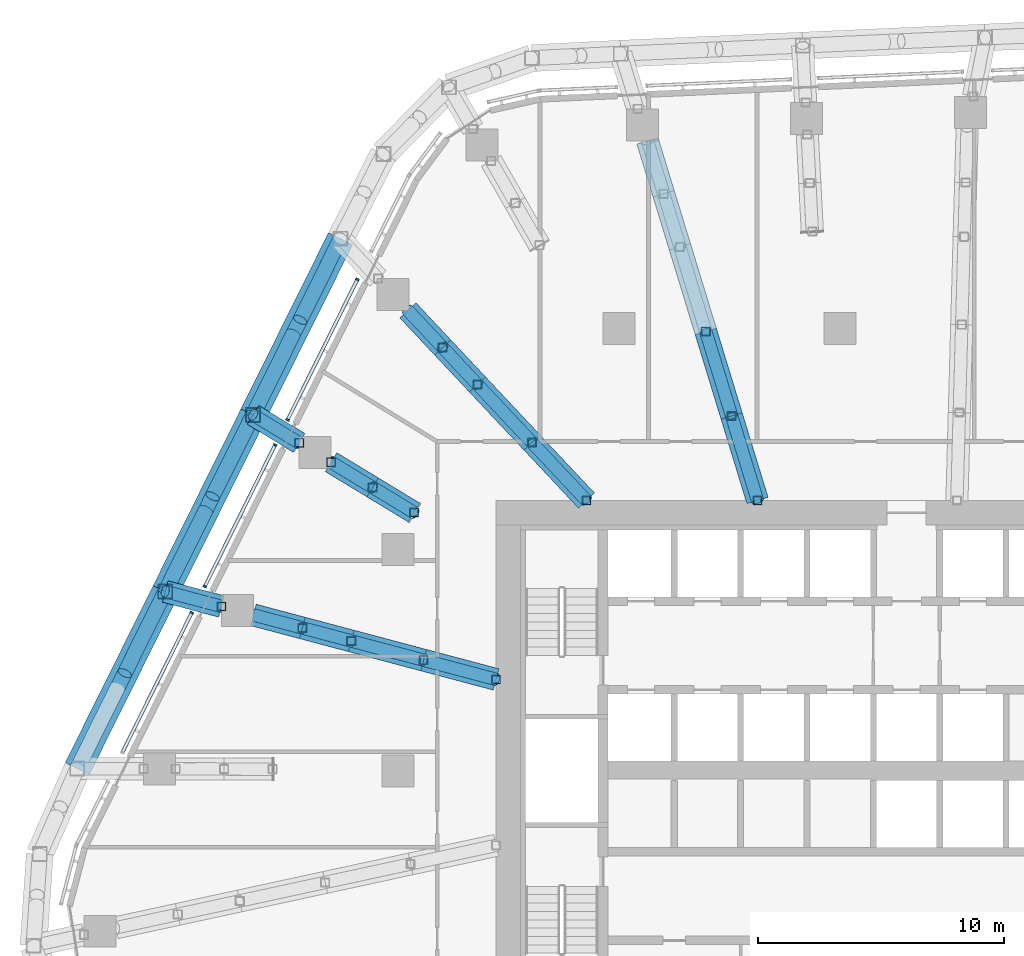
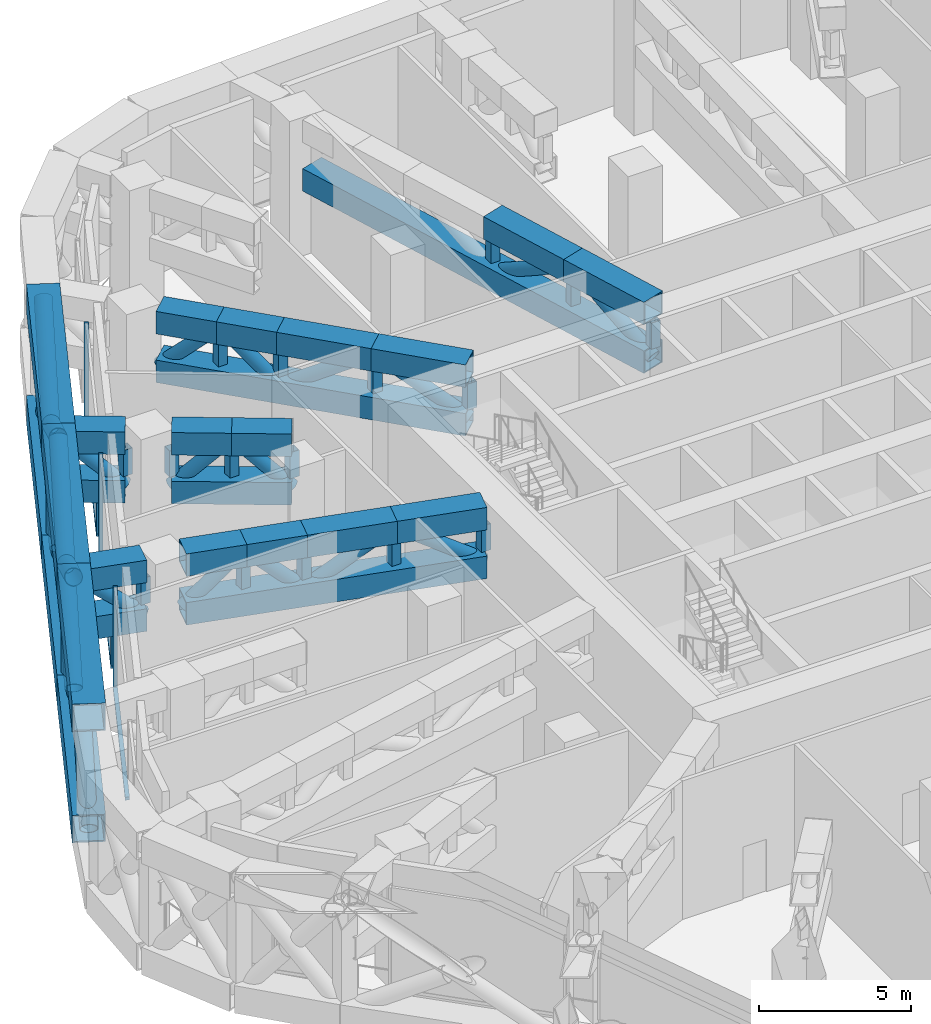
# One storey, part 9 of 30: 74 members, 1 element without a shape of its own.
"""IFC4 building model written with IfcOpenShell, lengths in metres."""

import ifcopenshell
import ifcopenshell.guid

model = None  # the IFC model being written
_history = None  # IfcOwnerHistory: only IFC2X3 demands one
_inside = {}  # id of a spatial element -> (the spatial element, [elements in it])
_under = {}  # id of a project, library or spatial element -> (it, [spatial elements below it])
_declared = {}  # id of a project -> (the project, [libraries it declares])
_typed = {}  # id of a type object -> (the type object, [elements of that type])
_made_of = {}  # id of a material, layer set ... -> (it, [elements and type objects made of it])


def new_model(schema):
    """Start an empty IFC model of exactly this schema.

    Asked for "IFC4X3", IfcOpenShell would pick the latest addendum, in which some entities
    have other attributes; the version numbers below select the first issue.
    IFC2X3 requires an IfcOwnerHistory on every rooted entity: one is made here for all.
    """
    global model, _history
    if schema == "IFC4X3":
        model = ifcopenshell.file(schema_version=(4, 3, 0, 0))
    else:
        model = ifcopenshell.file(schema=schema)
    _inside.clear()
    _under.clear()
    _declared.clear()
    _typed.clear()
    _made_of.clear()
    _history = None
    if model.schema == "IFC2X3":
        org = make("IfcOrganization", Name="unknown")
        user = make(
            "IfcPersonAndOrganization",
            ThePerson=make("IfcPerson", FamilyName="unknown"),
            TheOrganization=org,
        )
        app = make(
            "IfcApplication",
            ApplicationDeveloper=org,
            Version="unknown",
            ApplicationFullName="unknown",
            ApplicationIdentifier="unknown",
        )
        _history = make(
            "IfcOwnerHistory",
            OwningUser=user,
            OwningApplication=app,
            ChangeAction="ADDED",
            CreationDate=0,
        )
    return model


def make(cls, **values):
    """One entity of the class cls with the attributes given. An attribute that is None is left unset."""
    return model.create_entity(
        cls, **{name: value for name, value in values.items() if value is not None}
    )


def rooted(cls, **values):
    """An entity with a GlobalId (a new one), such as an element, a storey or a relation."""
    return make(cls, GlobalId=ifcopenshell.guid.new(), OwnerHistory=_history, **values)


def si_unit(unit_type, name, prefix=None):
    """IfcSIUnit, for example si_unit("LENGTHUNIT", "METRE", prefix="MILLI")."""
    return make("IfcSIUnit", UnitType=unit_type, Prefix=prefix, Name=name)


def assignment(units):
    """IfcUnitAssignment: the units of a project."""
    return None if units is None else make("IfcUnitAssignment", Units=units)


def point(xyz):
    """IfcCartesianPoint."""
    return None if xyz is None else make("IfcCartesianPoint", Coordinates=xyz)


def direction(xyz):
    """IfcDirection."""
    return None if xyz is None else make("IfcDirection", DirectionRatios=xyz)


def frame(location, z_axis=None, x_axis=None):
    """IfcAxis2Placement3D, a coordinate frame: its origin and axes. An axis left out is left unset."""
    return make(
        "IfcAxis2Placement3D",
        Location=point(location),
        Axis=direction(z_axis),
        RefDirection=direction(x_axis),
    )


def frame_2d(location, x_axis=None):
    """IfcAxis2Placement2D, a coordinate frame in the plane: its origin and x axis."""
    return make(
        "IfcAxis2Placement2D", Location=point(location), RefDirection=direction(x_axis)
    )


def origin():
    """The frame at (0, 0, 0) with its axes left unset."""
    return frame((0.0, 0.0, 0.0))


def origin_2d():
    """The frame at (0, 0) in the plane with its x axis left unset."""
    return frame_2d((0.0, 0.0))


def place(relative_to, where):
    """IfcLocalPlacement: puts the frame where relative to a parent placement (None: the world)."""
    return make(
        "IfcLocalPlacement", PlacementRelTo=relative_to, RelativePlacement=where
    )


def context(
    kind, dimensions, precision=None, world=None, true_north=None, identifier=None
):
    """IfcGeometricRepresentationContext, for example the 3D "Model" context."""
    return make(
        "IfcGeometricRepresentationContext",
        ContextIdentifier=identifier,
        ContextType=kind,
        CoordinateSpaceDimension=dimensions,
        Precision=precision,
        WorldCoordinateSystem=world,
        TrueNorth=true_north,
    )


def subcontext(parent, identifier, kind, view, scale=None):
    """IfcGeometricRepresentationSubContext, for example "Body" below "Model"."""
    return make(
        "IfcGeometricRepresentationSubContext",
        ContextIdentifier=identifier,
        ContextType=kind,
        ParentContext=parent,
        TargetScale=scale,
        TargetView=view,
    )


def project(units=None, contexts=None):
    """IfcProject with its units and contexts."""
    return rooted(
        "IfcProject",
        Name="project",
        RepresentationContexts=contexts,
        UnitsInContext=assignment(units),
    )


def spatial(cls, under=None, at=None, **own):
    """A site, building, storey or space (cls), placed at a placement, below another one or the project."""
    s = rooted(cls, ObjectPlacement=at, **own)
    if under is not None:
        _under.setdefault(under.id(), (under, []))[1].append(s)
    return s


def profile(cls, at=None, kind="AREA", **sizes):
    """A parametric profile (cls). Its sizes go by their IFC names, for example OverallWidth=200.0."""
    return make(cls, ProfileType=kind, Position=at, **sizes)


def rectangle(**sizes):
    """IfcRectangleProfileDef."""
    return profile("IfcRectangleProfileDef", **sizes)


def hollow_rectangle(**sizes):
    """IfcRectangleHollowProfileDef."""
    return profile("IfcRectangleHollowProfileDef", **sizes)


def hollow_circle(**sizes):
    """IfcCircleHollowProfileDef."""
    return profile("IfcCircleHollowProfileDef", **sizes)


def extrude(swept, where, along, depth):
    """IfcExtrudedAreaSolid: the profile swept, set in the frame where, extruded along a direction by depth."""
    return make(
        "IfcExtrudedAreaSolid",
        SweptArea=swept,
        Position=where,
        ExtrudedDirection=direction(along),
        Depth=depth,
    )


def shape(context_of_items, identifier, shape_type, items):
    """IfcShapeRepresentation: the items that make up one representation, for example the "Body"."""
    return make(
        "IfcShapeRepresentation",
        ContextOfItems=context_of_items,
        RepresentationIdentifier=identifier,
        RepresentationType=shape_type,
        Items=items,
    )


def material(Name=None, Category=None):
    """IfcMaterial."""
    return make("IfcMaterial", Name=Name, Category=Category)


def layer(
    of_material, thickness, ventilated=None, Name=None, Category=None, Priority=None
):
    """IfcMaterialLayer: one layer of a wall or slab, of a material (None: an air gap)."""
    return make(
        "IfcMaterialLayer",
        Material=of_material,
        LayerThickness=thickness,
        IsVentilated=ventilated,
        Name=Name,
        Category=Category,
        Priority=Priority,
    )


def layer_set(layers, Name=None):
    """IfcMaterialLayerSet."""
    return make("IfcMaterialLayerSet", MaterialLayers=layers, LayerSetName=Name)


def material_profile(
    of_material, cross_section, Name=None, Category=None, Priority=None
):
    """IfcMaterialProfile: a cross section and its material."""
    return make(
        "IfcMaterialProfile",
        Name=Name,
        Material=of_material,
        Profile=cross_section,
        Priority=Priority,
        Category=Category,
    )


def profile_set(profiles, Name=None, composite=None):
    """IfcMaterialProfileSet."""
    return make(
        "IfcMaterialProfileSet",
        Name=Name,
        MaterialProfiles=profiles,
        CompositeProfile=composite,
    )


def made_of(thing, what):
    """Note that an element or type object is made of a material, layer set ...; save() writes the relation."""
    if what is not None:
        _made_of.setdefault(what.id(), (what, []))[1].append(thing)
    return thing


def type_object(cls, material=None, **own):
    """A type object (cls), such as IfcWallType, which elements share."""
    return made_of(rooted(cls, **own), material)


def element(
    cls,
    number,
    at=None,
    inside=None,
    cuts=None,
    type_object=None,
    material=None,
    context=None,
    identifier="Body",
    shape_type=None,
    held_by="IfcProductDefinitionShape",
    body=None,
    shapes=None,
    **own,
):
    """One element of the class cls, such as IfcWall. Its Tag is "e" and its number.

    at: its placement. inside: the storey or other place that contains it. cuts: it is an
    opening in that element (IfcRelVoidsElement). A single representation is given by context,
    identifier, shape_type and body (its items); several are given by shapes. held_by: the class
    of the entity that holds the representations. save() writes the other relations.
    """
    e = rooted(cls, Tag="e%d" % number, ObjectPlacement=at, **own)
    if body is not None:
        shapes = [shape(context, identifier, shape_type, body)]
    if shapes is not None:
        e.Representation = make(held_by, Representations=shapes)
    if inside is not None:
        _inside.setdefault(inside.id(), (inside, []))[1].append(e)
    if cuts is not None:
        rooted(
            "IfcRelVoidsElement", RelatingBuildingElement=cuts, RelatedOpeningElement=e
        )
    if type_object is not None:
        _typed.setdefault(type_object.id(), (type_object, []))[1].append(e)
    return made_of(e, material)


def aggregate(whole, parts):
    """IfcRelAggregates: a whole, such as a stair, and the parts it consists of."""
    return rooted("IfcRelAggregates", RelatingObject=whole, RelatedObjects=parts)


def save(model, path):
    """Write the relations noted so far, then the file.

    IfcRelAggregates (storeys below a building ...), IfcRelContainedInSpatialStructure (elements
    in a storey), IfcRelDefinesByType, IfcRelAssociatesMaterial and IfcRelDeclares: one each for
    every whole, place, type object, material and project.
    """
    for whole, parts in _under.values():
        aggregate(whole, parts)
    for where, things in _inside.values():
        rooted(
            "IfcRelContainedInSpatialStructure",
            RelatedElements=things,
            RelatingStructure=where,
        )
    for kind, things in _typed.values():
        rooted("IfcRelDefinesByType", RelatedObjects=things, RelatingType=kind)
    for what, things in _made_of.values():
        rooted("IfcRelAssociatesMaterial", RelatedObjects=things, RelatingMaterial=what)
    for by, libraries in _declared.values():
        rooted("IfcRelDeclares", RelatingContext=by, RelatedDefinitions=libraries)
    model.write(path)


model = new_model("IFC4")

# Units and contexts
model_context = context("Model", 3, precision=1e-05, world=origin(), true_north=direction((0.0, 1.0)))
body_context = subcontext(model_context, "Body", "Model", "MODEL_VIEW")
ifc_project = project(units=[si_unit("LENGTHUNIT", "METRE"), si_unit("AREAUNIT", "SQUARE_METRE"), si_unit("VOLUMEUNIT", "CUBIC_METRE"), si_unit("PLANEANGLEUNIT", "RADIAN"), si_unit("MASSUNIT", "GRAM", prefix="KILO")], contexts=[model_context])

# Site, building, storey
site_placement = place(None, origin())
site = spatial("IfcSite", under=ifc_project, at=site_placement, CompositionType="ELEMENT")
building_placement = place(site_placement, origin())
building = spatial("IfcBuilding", under=site, at=building_placement, Name="Dongbaek Canopy Tower", CompositionType="ELEMENT")
storey_placement = place(building_placement, frame((0.0, 0.0, 145.60009765625)))
storey = spatial("IfcBuildingStorey", under=building, at=storey_placement, Name="L32", CompositionType="ELEMENT", Elevation=145.60009765625)

# Members
ifc_material_1 = material(Name="Steel S355", Category="steel")
ifc_material_profile_1 = material_profile(ifc_material_1, hollow_circle(Radius=0.304931640625, WallThickness=0.01611328125, at=origin_2d()), Name="BELT BRACE CHS 610.0x16.0 Steel S355")
ifc_profile_set_1 = profile_set([ifc_material_profile_1], Name="Steel S355")
member_type_1 = type_object("IfcMemberType", Name="BELT BRACE CHS 610.0x16.0 Steel S355", PredefinedType="BRACE", material=ifc_profile_set_1)
member_1_placement = place(storey_placement, frame((-31.043212890625, 0.093017578125, 0.5498046875), z_axis=(0.389322540572, 0.78366397209, 0.484044149072), x_axis=(-0.895571366543, 0.444917888411, 0.0)))
element("IfcMember", 1, at=member_1_placement, inside=storey, type_object=member_type_1, Name="BELT:L32:9:D0:0", PredefinedType="BRACE", context=body_context, shape_type="SweptSolid", body=[
    extrude(hollow_circle(Radius=0.304931640625, WallThickness=0.01611328125, at=origin_2d()), origin(), (0.0, 0.0, 1.0), 9.19384765625),
])
member_2_placement = place(storey_placement, frame((-27.4638671875, 7.2978515625, 0.5498046875), z_axis=(-0.389303624486, -0.783678107313, 0.484036478047), x_axis=(0.895583177373, -0.444894113701, 0.0)))
element("IfcMember", 2, at=member_2_placement, inside=storey, type_object=member_type_1, Name="BELT:L32:9:D0:1", PredefinedType="BRACE", context=body_context, shape_type="SweptSolid", body=[
    extrude(hollow_circle(Radius=0.304931640625, WallThickness=0.01611328125, at=origin_2d()), origin(), (0.0, 0.0, 1.0), 4.23681640625),
])
member_3_placement = place(storey_placement, frame((-27.4638671875, 7.2978515625, 0.5498046875), z_axis=(0.389108628718, 0.783218790474, 0.484935873395), x_axis=(-0.895568061781, 0.444924540476, 0.0)))
element("IfcMember", 3, at=member_3_placement, inside=storey, type_object=member_type_1, Name="BELT:L32:10:D0:0", PredefinedType="BRACE", context=body_context, shape_type="SweptSolid", body=[
    extrude(hollow_circle(Radius=0.304931640625, WallThickness=0.01611328125, at=origin_2d()), origin(), (0.0, 0.0, 1.0), 9.1767578125),
])
member_4_placement = place(storey_placement, frame((-23.89306640625, 14.4853515625, 0.5498046875), z_axis=(-0.389100951547, -0.783224422794, 0.484932936646), x_axis=(0.895572834473, -0.444914933615, 0.0)))
element("IfcMember", 4, at=member_4_placement, inside=storey, type_object=member_type_1, Name="BELT:L32:10:D0:1", PredefinedType="BRACE", context=body_context, shape_type="SweptSolid", body=[
    extrude(hollow_circle(Radius=0.304931640625, WallThickness=0.01611328125, at=origin_2d()), origin(), (0.0, 0.0, 1.0), 4.22900390625),
])
member_5_placement = place(storey_placement, frame((-27.4638671875, 7.2978515625, 5.0), z_axis=(0.389118545537, 0.783202105158, -0.484954863875), x_axis=(-0.89555976646, 0.444941237354, 0.0)))
element("IfcMember", 5, at=member_5_placement, inside=storey, type_object=member_type_1, Name="BELT:L32:10:D0:2", PredefinedType="BRACE", context=body_context, shape_type="SweptSolid", body=[
    extrude(hollow_circle(Radius=0.304931640625, WallThickness=0.01611328125, at=origin_2d()), origin(), (0.0, 0.0, 1.0), 4.228759765625),
])
member_6_placement = place(storey_placement, frame((-23.89306640625, 14.4853515625, 0.5498046875), z_axis=(0.38890630876, 0.782796204153, 0.485779770854), x_axis=(-0.895564586304, 0.444931536034, 0.0)))
element("IfcMember", 6, at=member_6_placement, inside=storey, type_object=member_type_1, Name="BELT:L32:11:D0:0", PredefinedType="BRACE", context=body_context, shape_type="SweptSolid", body=[
    extrude(hollow_circle(Radius=0.304931640625, WallThickness=0.01611328125, at=origin_2d()), origin(), (0.0, 0.0, 1.0), 9.160888671875),
])
for number, where, z_axis, x_axis, name in (
    (7, (-20.330322265625, 21.656494140625, 0.5498046875), (-0.38889043564, -0.78281261844, 0.485766027505), (0.895575539519, -0.444909488565, 0.0), "BELT:L32:11:D0:1"),
    (8, (-23.89306640625, 14.4853515625, 5.0), (0.38889043564, 0.78281261844, -0.485766027505), (-0.895575539519, 0.444909488565, 0.0), "BELT:L32:11:D0:2"),
):
    element("IfcMember", number, at=place(storey_placement, frame(where, z_axis=z_axis, x_axis=x_axis)), inside=storey, type_object=member_type_1, Name=name, PredefinedType="BRACE", context=body_context, shape_type="SweptSolid", body=[
        extrude(hollow_circle(Radius=0.304931640625, WallThickness=0.01611328125, at=origin_2d()), origin(), (0.0, 0.0, 1.0), 4.22119140625),
    ])
ifc_material_2 = material(Name="Steel S355", Category="steel")
ifc_material_profile_2 = material_profile(ifc_material_2, hollow_rectangle(XDim=1.10009765625, YDim=1.10009765625, WallThickness=0.054931640625, at=origin_2d()), Name="BELT CHORD BOX 1100x1100x55 Steel S355")
ifc_profile_set_2 = profile_set([ifc_material_profile_2], Name="Steel S355")
member_type_2 = type_object("IfcMemberType", Name="BELT CHORD BOX 1100x1100x55 Steel S355", PredefinedType="CHORD", material=ifc_profile_set_2)
for number, where, z_axis, x_axis, name in (
    (9, (-31.043212890625, 0.093017578125, 0.5498046875), (0.444917888411, 0.895571366543, 0.0), (-0.895571366543, 0.444917888411, 0.0), "BELT:L32:9:CB0"),
    (10, (-31.043212890625, 0.093017578125, 5.0), (0.444917888411, 0.895571366543, 0.0), (-0.895571366543, 0.444917888411, 0.0), "BELT:L32:9:CT0"),
):
    element("IfcMember", number, at=place(storey_placement, frame(where, z_axis=z_axis, x_axis=x_axis)), inside=storey, type_object=member_type_2, Name=name, PredefinedType="CHORD", context=body_context, shape_type="SweptSolid", body=[
        extrude(hollow_rectangle(XDim=1.10009765625, YDim=1.10009765625, WallThickness=0.054931640625, at=origin_2d()), origin(), (0.0, 0.0, 1.0), 8.044921875),
    ])
for number, where, z_axis, x_axis, name in (
    (11, (-27.4638671875, 7.2978515625, 0.5498046875), (0.444924540476, 0.895568061781, 0.0), (-0.895568061781, 0.444924540476, 0.0), "BELT:L32:10:CB0"),
    (12, (-27.4638671875, 7.2978515625, 5.0), (0.444924540476, 0.895568061781, 0.0), (-0.895568061781, 0.444924540476, 0.0), "BELT:L32:10:CT0"),
):
    element("IfcMember", number, at=place(storey_placement, frame(where, z_axis=z_axis, x_axis=x_axis)), inside=storey, type_object=member_type_2, Name=name, PredefinedType="CHORD", context=body_context, shape_type="SweptSolid", body=[
        extrude(hollow_rectangle(XDim=1.10009765625, YDim=1.10009765625, WallThickness=0.054931640625, at=origin_2d()), origin(), (0.0, 0.0, 1.0), 8.025634765625),
    ])
for number, where, z_axis, x_axis, name in (
    (13, (-23.89306640625, 14.4853515625, 0.5498046875), (0.444931536034, 0.895564586304, 0.0), (-0.895564586304, 0.444931536034, 0.0), "BELT:L32:11:CB0"),
    (14, (-23.89306640625, 14.4853515625, 5.0), (0.444931536034, 0.895564586304, 0.0), (-0.895564586304, 0.444931536034, 0.0), "BELT:L32:11:CT0"),
):
    element("IfcMember", number, at=place(storey_placement, frame(where, z_axis=z_axis, x_axis=x_axis)), inside=storey, type_object=member_type_2, Name=name, PredefinedType="CHORD", context=body_context, shape_type="SweptSolid", body=[
        extrude(hollow_rectangle(XDim=1.10009765625, YDim=1.10009765625, WallThickness=0.054931640625, at=origin_2d()), origin(), (0.0, 0.0, 1.0), 8.00732421875),
    ])
ifc_material_3 = material(Name="Steel S355", Category="steel")
ifc_material_profile_3 = material_profile(ifc_material_3, hollow_rectangle(XDim=0.60009765625, YDim=0.60009765625, WallThickness=0.031982421875, at=origin_2d()), Name="BELT POST BOX 600x600x32 Steel S355")
ifc_profile_set_3 = profile_set([ifc_material_profile_3], Name="Steel S355")
member_type_3 = type_object("IfcMemberType", Name="BELT POST BOX 600x600x32 Steel S355", PredefinedType="POST", material=ifc_profile_set_3)
for number, where, z_axis, x_axis, name in (
    (15, (-27.4638671875, 7.2978515625, 1.099853515625), (0.0, 0.0, 1.0), (1.0, 0.0, 0.0), "BELT:L32:10:P0"),
    (16, (-23.89306640625, 14.4853515625, 1.099853515625), (0.0, 0.0, 1.0), (1.0, 0.0, 0.0), "BELT:L32:11:P0"),
):
    element("IfcMember", number, at=place(storey_placement, frame(where, z_axis=z_axis, x_axis=x_axis)), inside=storey, type_object=member_type_3, Name=name, PredefinedType="POST", context=body_context, shape_type="SweptSolid", body=[
        extrude(hollow_rectangle(XDim=0.60009765625, YDim=0.60009765625, WallThickness=0.031982421875, at=origin_2d()), origin(), (0.0, 0.0, 1.0), 3.35009765625),
    ])
ifc_material_4 = material(Name="Steel S355", Category="steel")
ifc_material_profile_4 = material_profile(ifc_material_4, hollow_circle(Radius=0.25390625, WallThickness=0.01611328125, at=origin_2d()), Name="BRACE CHS 508.0x16.0 Steel S355")
ifc_profile_set_4 = profile_set([ifc_material_profile_4], Name="Steel S355")
member_type_4 = type_object("IfcMemberType", Name="BRACE CHS 508.0x16.0 Steel S355", PredefinedType="BRACE", material=ifc_profile_set_4)
for number, where, z_axis, x_axis, name in (
    (17, (-17.336181640625, 10.51025390625, 3.14990234375), (-0.608528880105, 0.368917334946, 0.702561457849), (-0.518416770019, -0.855128091319, 0.0), "TRUSS:L32:11:D0"),
    (18, (-19.025146484375, 11.5341796875, 5.099853515625), (-0.608548626156, 0.368841339906, -0.702584255147), (-0.518326372876, -0.855182887564, 0.0), "TRUSS:L32:11:D1"),
):
    element("IfcMember", number, at=place(storey_placement, frame(where, z_axis=z_axis, x_axis=x_axis)), inside=storey, type_object=member_type_4, Name=name, PredefinedType="BRACE", context=body_context, shape_type="SweptSolid", body=[
        extrude(hollow_circle(Radius=0.25390625, WallThickness=0.01611328125, at=origin_2d()), origin(), (0.0, 0.0, 1.0), 2.775390625),
    ])
member_7_placement = place(storey_placement, frame((-25.178955078125, 6.690673828125, 3.14990234375), z_axis=(-0.74558151851, 0.198126000271, 0.636281610038), x_axis=(-0.25682057706, -0.966459099599, 0.0)))
element("IfcMember", 19, at=member_7_placement, inside=storey, type_object=member_type_4, Name="TRUSS:L32:10x:D0", PredefinedType="BRACE", context=body_context, shape_type="SweptSolid", body=[
    extrude(hollow_circle(Radius=0.25390625, WallThickness=0.01611328125, at=origin_2d()), origin(), (0.0, 0.0, 1.0), 3.064697265625),
])
member_8_placement = place(storey_placement, frame((-22.013916015625, 13.34619140625, 3.14990234375), z_axis=(-0.639625703535, 0.387747633194, 0.663724892053), x_axis=(-0.518395279224, -0.855141119628, 0.0)))
element("IfcMember", 20, at=member_8_placement, inside=storey, type_object=member_type_4, Name="TRUSS:L32:11x:D0", PredefinedType="BRACE", context=body_context, shape_type="SweptSolid", body=[
    extrude(hollow_circle(Radius=0.25390625, WallThickness=0.01611328125, at=origin_2d()), origin(), (0.0, 0.0, 1.0), 2.93798828125),
])
ifc_material_5 = material(Name="Steel S355", Category="steel")
ifc_material_profile_5 = material_profile(ifc_material_5, hollow_rectangle(XDim=0.89990234375, YDim=0.89990234375, WallThickness=0.044921875, at=origin_2d()), Name="CHORD BOX 900x900x45 Steel S355")
ifc_profile_set_5 = profile_set([ifc_material_profile_5], Name="Steel S355")
member_type_5 = type_object("IfcMemberType", Name="CHORD BOX 900x900x45 Steel S355", PredefinedType="CHORD", material=ifc_profile_set_5)
member_9_placement = place(storey_placement, frame((-17.336181640625, 10.51025390625, 3.14990234375), z_axis=(-0.855155489758, 0.51837157362, 0.0), x_axis=(-0.51837157362, -0.855155489758, 0.0)))
element("IfcMember", 21, at=member_9_placement, inside=storey, type_object=member_type_5, Name="TRUSS:L32:11:CB", PredefinedType="CHORD", context=body_context, shape_type="SweptSolid", body=[
    extrude(hollow_rectangle(XDim=0.89990234375, YDim=0.89990234375, WallThickness=0.044921875, at=origin_2d()), origin(), (0.0, 0.0, 1.0), 3.9501953125),
])
member_10_placement = place(storey_placement, frame((-17.336181640625, 10.51025390625, 5.099853515625), z_axis=(-0.855128091319, 0.518416770019, 0.0), x_axis=(-0.518416770019, -0.855128091319, 0.0)))
element("IfcMember", 22, at=member_10_placement, inside=storey, type_object=member_type_5, Name="TRUSS:L32:11:CT0", PredefinedType="CHORD", context=body_context, shape_type="SweptSolid", body=[
    extrude(hollow_rectangle(XDim=0.89990234375, YDim=0.89990234375, WallThickness=0.044921875, at=origin_2d()), origin(), (0.0, 0.0, 1.0), 1.97509765625),
])
member_11_placement = place(storey_placement, frame((-19.025146484375, 11.5341796875, 5.099853515625), z_axis=(-0.855182887564, 0.518326372876, 0.0), x_axis=(-0.518326372876, -0.855182887564, 0.0)))
element("IfcMember", 23, at=member_11_placement, inside=storey, type_object=member_type_5, Name="TRUSS:L32:11:CT1", PredefinedType="CHORD", context=body_context, shape_type="SweptSolid", body=[
    extrude(hollow_rectangle(XDim=0.89990234375, YDim=0.89990234375, WallThickness=0.044921875, at=origin_2d()), origin(), (0.0, 0.0, 1.0), 1.974853515625),
])
for number, where, z_axis, x_axis, name in (
    (24, (-25.178955078125, 6.690673828125, 3.14990234375), (-0.966459099599, 0.25682057706, 0.0), (-0.25682057706, -0.966459099599, 0.0), "TRUSS:L32:10x:CB"),
    (25, (-25.178955078125, 6.690673828125, 5.099853515625), (-0.966459099599, 0.25682057706, 0.0), (-0.25682057706, -0.966459099599, 0.0), "TRUSS:L32:10x:CT0"),
):
    element("IfcMember", number, at=place(storey_placement, frame(where, z_axis=z_axis, x_axis=x_axis)), inside=storey, type_object=member_type_5, Name=name, PredefinedType="CHORD", context=body_context, shape_type="SweptSolid", body=[
        extrude(hollow_rectangle(XDim=0.89990234375, YDim=0.89990234375, WallThickness=0.044921875, at=origin_2d()), origin(), (0.0, 0.0, 1.0), 2.3642578125),
    ])
for number, where, z_axis, x_axis, name in (
    (26, (-22.013916015625, 13.34619140625, 3.14990234375), (-0.855141119628, 0.518395279224, 0.0), (-0.518395279224, -0.855141119628, 0.0), "TRUSS:L32:11x:CB"),
    (27, (-22.013916015625, 13.34619140625, 5.099853515625), (-0.855141119628, 0.518395279224, 0.0), (-0.518395279224, -0.855141119628, 0.0), "TRUSS:L32:11x:CT0"),
):
    element("IfcMember", number, at=place(storey_placement, frame(where, z_axis=z_axis, x_axis=x_axis)), inside=storey, type_object=member_type_5, Name=name, PredefinedType="CHORD", context=body_context, shape_type="SweptSolid", body=[
        extrude(hollow_rectangle(XDim=0.89990234375, YDim=0.89990234375, WallThickness=0.044921875, at=origin_2d()), origin(), (0.0, 0.0, 1.0), 2.197509765625),
    ])

# Curtain wall, members
ifc_material_6 = material(Name="Aluminium 6063-T6 pale anodised", Category="aluminium")
ifc_layer = layer(ifc_material_6, 0.14990234375)
ifc_layer_set = layer_set([ifc_layer], Name="CW-7 louvre curtain wall")
curtain_wall_type = type_object("IfcCurtainWallType", Name="CW-7 louvre curtain wall", PredefinedType="NOTDEFINED", material=ifc_layer_set)
curtain_wall_placement = place(storey_placement, origin())
curtain_wall = element("IfcCurtainWall", 28, at=curtain_wall_placement, inside=storey, type_object=curtain_wall_type, Name="CW-7 louvre wall L32 F2", PredefinedType="NOTDEFINED")
ifc_material_7 = material(Name="Aluminium 6063-T6 pale anodised", Category="aluminium")
ifc_material_profile_6 = material_profile(ifc_material_7, rectangle(XDim=0.14990234375, YDim=0.080078125, at=origin_2d()), Name="CW-7 mullion 80 x 150")
ifc_profile_set_6 = profile_set([ifc_material_profile_6], Name="Aluminium 6063-T6 pale anodised")
member_type_6 = type_object("IfcMemberType", Name="CW-7 mullion 80 x 150", PredefinedType="MULLION", material=ifc_profile_set_6)
member_12_placement = place(storey_placement, frame((-19.647216796875, 19.997314453125, 0.77490234375), z_axis=(0.0, 0.0, 1.0), x_axis=(-0.895565680556, 0.444929333502, 0.0)))
member_12 = element("IfcMember", 29, at=member_12_placement, type_object=member_type_6, Name="CW-7 mullion L32 F2.2.1", PredefinedType="MULLION", context=body_context, shape_type="SweptSolid", body=[
    extrude(rectangle(XDim=0.14990234375, YDim=0.080078125, at=origin_2d()), origin(), (0.0, 0.0, 1.0), 4.0),
])
member_13_placement = place(storey_placement, frame((-22.487060546875, 14.281005859375, 0.77490234375), z_axis=(0.0, 0.0, 1.0), x_axis=(-0.895565680556, 0.444929333502, 0.0)))
member_13 = element("IfcMember", 30, at=member_13_placement, type_object=member_type_6, Name="CW-7 mullion L32 F2.2.2", PredefinedType="MULLION", context=body_context, shape_type="SweptSolid", body=[
    extrude(rectangle(XDim=0.14990234375, YDim=0.080078125, at=origin_2d()), origin(), (0.0, 0.0, 1.0), 4.0),
])
member_14_placement = place(storey_placement, frame((-22.992431640625, 13.263916015625, 0.77490234375), z_axis=(0.0, 0.0, 1.0), x_axis=(-0.895565680556, 0.444929333502, 0.0)))
member_14 = element("IfcMember", 31, at=member_14_placement, type_object=member_type_6, Name="CW-7 mullion L32 F2.3.1", PredefinedType="MULLION", context=body_context, shape_type="SweptSolid", body=[
    extrude(rectangle(XDim=0.14990234375, YDim=0.080078125, at=origin_2d()), origin(), (0.0, 0.0, 1.0), 4.0),
])
member_15_placement = place(storey_placement, frame((-25.855712890625, 7.500732421875, 0.77490234375), z_axis=(0.0, 0.0, 1.0), x_axis=(-0.895565680556, 0.444929333502, 0.0)))
member_15 = element("IfcMember", 32, at=member_15_placement, type_object=member_type_6, Name="CW-7 mullion L32 F2.3.2", PredefinedType="MULLION", context=body_context, shape_type="SweptSolid", body=[
    extrude(rectangle(XDim=0.14990234375, YDim=0.080078125, at=origin_2d()), origin(), (0.0, 0.0, 1.0), 4.0),
])
member_16_placement = place(storey_placement, frame((-26.3837890625, 6.43798828125, 0.77490234375), z_axis=(0.0, 0.0, 1.0), x_axis=(-0.895565680556, 0.444929333502, 0.0)))
member_16 = element("IfcMember", 33, at=member_16_placement, type_object=member_type_6, Name="CW-7 mullion L32 F2.4.1", PredefinedType="MULLION", context=body_context, shape_type="SweptSolid", body=[
    extrude(rectangle(XDim=0.14990234375, YDim=0.080078125, at=origin_2d()), origin(), (0.0, 0.0, 1.0), 4.0),
])
ifc_material_8 = material(Name="Aluminium 6063-T6 pale anodised", Category="aluminium")
ifc_material_profile_7 = material_profile(ifc_material_8, rectangle(XDim=0.14990234375, YDim=0.1201171875, at=origin_2d()), Name="CW-7 transom 120 x 150")
ifc_profile_set_7 = profile_set([ifc_material_profile_7], Name="Aluminium 6063-T6 pale anodised")
member_type_7 = type_object("IfcMemberType", Name="CW-7 transom 120 x 150", PredefinedType="USERDEFINED", material=ifc_profile_set_7)
member_17_placement = place(storey_placement, frame((-19.647216796875, 19.997314453125, 0.71484375), z_axis=(-0.444917158653, -0.895571729085, 0.0), x_axis=(0.895571729085, -0.444917158653, 0.0)))
member_17 = element("IfcMember", 34, at=member_17_placement, type_object=member_type_7, Name="CW-7 transom L32 F2.2", ObjectType="TRANSOM", PredefinedType="USERDEFINED", context=body_context, shape_type="SweptSolid", body=[
    extrude(rectangle(XDim=0.14990234375, YDim=0.1201171875, at=origin_2d()), origin(), (0.0, 0.0, 1.0), 6.3828125),
])
member_18_placement = place(storey_placement, frame((-22.992431640625, 13.263916015625, 0.71484375), z_axis=(-0.444935872318, -0.895562431952, 0.0), x_axis=(0.895562431952, -0.444935872318, 0.0)))
member_18 = element("IfcMember", 35, at=member_18_placement, type_object=member_type_7, Name="CW-7 transom L32 F2.3", ObjectType="TRANSOM", PredefinedType="USERDEFINED", context=body_context, shape_type="SweptSolid", body=[
    extrude(rectangle(XDim=0.14990234375, YDim=0.1201171875, at=origin_2d()), origin(), (0.0, 0.0, 1.0), 6.435302734375),
])
member_19_placement = place(storey_placement, frame((-26.3837890625, 6.43798828125, 0.71484375), z_axis=(-0.444896166975, -0.895582157376, 0.0), x_axis=(0.895582157376, -0.444896166975, 0.0)))
member_19 = element("IfcMember", 36, at=member_19_placement, type_object=member_type_7, Name="CW-7 transom L32 F2.4", ObjectType="TRANSOM", PredefinedType="USERDEFINED", context=body_context, shape_type="SweptSolid", body=[
    extrude(rectangle(XDim=0.14990234375, YDim=0.1201171875, at=origin_2d()), origin(), (0.0, 0.0, 1.0), 6.3671875),
])
aggregate(curtain_wall, [member_17, member_12, member_13, member_18, member_14, member_15, member_19, member_16])

# Members
ifc_material_9 = material(Name="Steel S355", Category="steel")
ifc_material_profile_8 = material_profile(ifc_material_9, hollow_circle(Radius=0.25390625, WallThickness=0.01611328125, at=origin_2d()), Name="OUTRIGGER BRACE CHS 508.0x16.0 Steel S355")
ifc_profile_set_8 = profile_set([ifc_material_profile_8], Name="Steel S355")
member_type_8 = type_object("IfcMemberType", Name="OUTRIGGER BRACE CHS 508.0x16.0 Steel S355", PredefinedType="BRACE", material=ifc_profile_set_8)
for number, where, z_axis, x_axis, name in (
    (37, (-14.0, 3.72021484375, 3.14990234375), (-0.814301678581, 0.216337870384, 0.538619255224), (-0.25676583459, -0.966473644849, 0.0), "TRUSS:L32:10:D0"),
    (38, (-16.947998046875, 4.50341796875, 5.099853515625), (-0.814289797, 0.216402149778, -0.53861139616), (-0.256840594629, -0.966453780038, 0.0), "TRUSS:L32:10:D1"),
):
    element("IfcMember", number, at=place(storey_placement, frame(where, z_axis=z_axis, x_axis=x_axis)), inside=storey, type_object=member_type_8, Name=name, PredefinedType="BRACE", context=body_context, shape_type="SweptSolid", body=[
        extrude(hollow_circle(Radius=0.25390625, WallThickness=0.01611328125, at=origin_2d()), origin(), (0.0, 0.0, 1.0), 3.620361328125),
    ])
for number, where, z_axis, x_axis, name in (
    (39, (-19.89599609375, 5.286865234375, 3.14990234375), (-0.701967279602, 0.186571663869, 0.687337582712), (-0.256866136815, -0.966446991696, 0.0), "TRUSS:L32:10:D2"),
    (40, (-21.887451171875, 5.816162109375, 5.099853515625), (-0.701978547924, 0.186488600386, -0.687348616191), (-0.256755468454, -0.96647639879, 0.0), "TRUSS:L32:10:D3"),
):
    element("IfcMember", number, at=place(storey_placement, frame(where, z_axis=z_axis, x_axis=x_axis)), inside=storey, type_object=member_type_8, Name=name, PredefinedType="BRACE", context=body_context, shape_type="SweptSolid", body=[
        extrude(hollow_circle(Radius=0.25390625, WallThickness=0.01611328125, at=origin_2d()), origin(), (0.0, 0.0, 1.0), 2.8369140625),
    ])
for number, where, z_axis, x_axis, name in (
    (41, (-10.326416015625, 11.0, 3.14990234375), (-0.586405273475, 0.624689796999, 0.515646693741), (-0.72909528578, -0.684412203466, 0.0), "TRUSS:L32:12:D0"),
    (42, (-12.5439453125, 13.3623046875, 5.099853515625), (-0.586471281348, 0.624626777526, -0.515647966108), (-0.7290223853, -0.684489855097, 0.0), "TRUSS:L32:12:D1"),
):
    element("IfcMember", number, at=place(storey_placement, frame(where, z_axis=z_axis, x_axis=x_axis)), inside=storey, type_object=member_type_8, Name=name, PredefinedType="BRACE", context=body_context, shape_type="SweptSolid", body=[
        extrude(hollow_circle(Radius=0.25390625, WallThickness=0.01611328125, at=origin_2d()), origin(), (0.0, 0.0, 1.0), 3.781494140625),
    ])
for number, where, z_axis, x_axis, name in (
    (43, (-14.76171875, 15.724365234375, 3.14990234375), (-0.497659845047, 0.530149555139, 0.686495541001), (-0.729094700563, -0.68441282689, 0.0), "TRUSS:L32:12:D2"),
    (44, (-16.17529296875, 17.230224609375, 5.099853515625), (-0.497659845047, 0.530149555139, -0.686495541001), (-0.729094700563, -0.68441282689, 0.0), "TRUSS:L32:12:D3"),
):
    element("IfcMember", number, at=place(storey_placement, frame(where, z_axis=z_axis, x_axis=x_axis)), inside=storey, type_object=member_type_8, Name=name, PredefinedType="BRACE", context=body_context, shape_type="SweptSolid", body=[
        extrude(hollow_circle(Radius=0.25390625, WallThickness=0.01611328125, at=origin_2d()), origin(), (0.0, 0.0, 1.0), 2.84033203125),
    ])
for number, where, z_axis, x_axis, name in (
    (45, (-3.36474609375, 11.0, 3.14990234375), (-0.257164588001, 0.840751033004, 0.476449446616), (-0.956266204085, -0.292497772514, 0.0), "TRUSS:L32:14:D0"),
    (46, (-4.417236328125, 14.44091796875, 5.099853515625), (-0.257164588001, 0.840751033004, -0.476449446616), (-0.956266204085, -0.292497772514, 0.0), "TRUSS:L32:14:D1"),
):
    element("IfcMember", number, at=place(storey_placement, frame(where, z_axis=z_axis, x_axis=x_axis)), inside=storey, type_object=member_type_8, Name=name, PredefinedType="BRACE", context=body_context, shape_type="SweptSolid", body=[
        extrude(hollow_circle(Radius=0.25390625, WallThickness=0.01611328125, at=origin_2d()), origin(), (0.0, 0.0, 1.0), 4.0927734375),
    ])
ifc_material_10 = material(Name="Steel S355", Category="steel")
ifc_material_profile_9 = material_profile(ifc_material_10, hollow_rectangle(XDim=0.89990234375, YDim=0.89990234375, WallThickness=0.044921875, at=origin_2d()), Name="OUTRIGGER CHORD BOX 900x900x45 Steel S355")
ifc_profile_set_9 = profile_set([ifc_material_profile_9], Name="Steel S355")
member_type_9 = type_object("IfcMemberType", Name="OUTRIGGER CHORD BOX 900x900x45 Steel S355", PredefinedType="CHORD", material=ifc_profile_set_9)
member_20_placement = place(storey_placement, frame((-14.0, 3.72021484375, 3.14990234375), z_axis=(-0.966462900088, 0.256806274756, 0.0), x_axis=(-0.256806274756, -0.966462900088, 0.0)))
element("IfcMember", 47, at=member_20_placement, inside=storey, type_object=member_type_9, Name="TRUSS:L32:10:CB", PredefinedType="CHORD", context=body_context, shape_type="SweptSolid", body=[
    extrude(hollow_rectangle(XDim=0.89990234375, YDim=0.89990234375, WallThickness=0.044921875, at=origin_2d()), origin(), (0.0, 0.0, 1.0), 10.2216796875),
])
for number, where, z_axis, x_axis, name in (
    (48, (-14.0, 3.72021484375, 5.099853515625), (-0.966473644849, 0.25676583459, 0.0), (-0.25676583459, -0.966473644849, 0.0), "TRUSS:L32:10:CT0"),
    (49, (-16.947998046875, 4.50341796875, 5.099853515625), (-0.966453780038, 0.256840594629, 0.0), (-0.256840594629, -0.966453780038, 0.0), "TRUSS:L32:10:CT1"),
):
    element("IfcMember", number, at=place(storey_placement, frame(where, z_axis=z_axis, x_axis=x_axis)), inside=storey, type_object=member_type_9, Name=name, PredefinedType="CHORD", context=body_context, shape_type="SweptSolid", body=[
        extrude(hollow_rectangle(XDim=0.89990234375, YDim=0.89990234375, WallThickness=0.044921875, at=origin_2d()), origin(), (0.0, 0.0, 1.0), 3.05029296875),
    ])
for number, where, z_axis, x_axis, name in (
    (50, (-19.89599609375, 5.286865234375, 5.099853515625), (-0.966446991696, 0.256866136815, 0.0), (-0.256866136815, -0.966446991696, 0.0), "TRUSS:L32:10:CT2"),
    (51, (-21.887451171875, 5.816162109375, 5.099853515625), (-0.96647639879, 0.256755468454, 0.0), (-0.256755468454, -0.96647639879, 0.0), "TRUSS:L32:10:CT3"),
):
    element("IfcMember", number, at=place(storey_placement, frame(where, z_axis=z_axis, x_axis=x_axis)), inside=storey, type_object=member_type_9, Name=name, PredefinedType="CHORD", context=body_context, shape_type="SweptSolid", body=[
        extrude(hollow_rectangle(XDim=0.89990234375, YDim=0.89990234375, WallThickness=0.044921875, at=origin_2d()), origin(), (0.0, 0.0, 1.0), 2.060546875),
    ])
member_21_placement = place(storey_placement, frame((-10.326416015625, 11.0, 3.14990234375), z_axis=(-0.684436158011, 0.729072798565, 0.0), x_axis=(-0.729072798565, -0.684436158011, 0.0)))
element("IfcMember", 52, at=member_21_placement, inside=storey, type_object=member_type_9, Name="TRUSS:L32:12:CB", PredefinedType="CHORD", context=body_context, shape_type="SweptSolid", body=[
    extrude(hollow_rectangle(XDim=0.89990234375, YDim=0.89990234375, WallThickness=0.044921875, at=origin_2d()), origin(), (0.0, 0.0, 1.0), 10.61083984375),
])
for number, where, z_axis, x_axis, name in (
    (53, (-10.326416015625, 11.0, 5.099853515625), (-0.684412203466, 0.72909528578, 0.0), (-0.72909528578, -0.684412203466, 0.0), "TRUSS:L32:12:CT0"),
    (54, (-12.5439453125, 13.3623046875, 5.099853515625), (-0.684489855097, 0.7290223853, 0.0), (-0.7290223853, -0.684489855097, 0.0), "TRUSS:L32:12:CT1"),
):
    element("IfcMember", number, at=place(storey_placement, frame(where, z_axis=z_axis, x_axis=x_axis)), inside=storey, type_object=member_type_9, Name=name, PredefinedType="CHORD", context=body_context, shape_type="SweptSolid", body=[
        extrude(hollow_rectangle(XDim=0.89990234375, YDim=0.89990234375, WallThickness=0.044921875, at=origin_2d()), origin(), (0.0, 0.0, 1.0), 3.239990234375),
    ])
for number, where, z_axis, x_axis, name in (
    (55, (-14.76171875, 15.724365234375, 5.099853515625), (-0.68441282689, 0.729094700563, 0.0), (-0.729094700563, -0.68441282689, 0.0), "TRUSS:L32:12:CT2"),
    (56, (-16.17529296875, 17.230224609375, 5.099853515625), (-0.68441282689, 0.729094700563, 0.0), (-0.729094700563, -0.68441282689, 0.0), "TRUSS:L32:12:CT3"),
):
    element("IfcMember", number, at=place(storey_placement, frame(where, z_axis=z_axis, x_axis=x_axis)), inside=storey, type_object=member_type_9, Name=name, PredefinedType="CHORD", context=body_context, shape_type="SweptSolid", body=[
        extrude(hollow_rectangle(XDim=0.89990234375, YDim=0.89990234375, WallThickness=0.044921875, at=origin_2d()), origin(), (0.0, 0.0, 1.0), 2.0654296875),
    ])
member_22_placement = place(storey_placement, frame((-3.36474609375, 11.0, 3.14990234375), z_axis=(-0.292507430387, 0.956263249931, 0.0), x_axis=(-0.956263249931, -0.292507430387, 0.0)))
element("IfcMember", 57, at=member_22_placement, inside=storey, type_object=member_type_9, Name="TRUSS:L32:14:CB", PredefinedType="CHORD", context=body_context, shape_type="SweptSolid", body=[
    extrude(hollow_rectangle(XDim=0.89990234375, YDim=0.89990234375, WallThickness=0.044921875, at=origin_2d()), origin(), (0.0, 0.0, 1.0), 15.307373046875),
])
for number, where, z_axis, x_axis, name in (
    (58, (-3.36474609375, 11.0, 5.099853515625), (-0.292497772514, 0.956266204085, 0.0), (-0.956266204085, -0.292497772514, 0.0), "TRUSS:L32:14:CT0"),
    (59, (-4.417236328125, 14.44091796875, 5.099853515625), (-0.292497772514, 0.956266204085, 0.0), (-0.956266204085, -0.292497772514, 0.0), "TRUSS:L32:14:CT1"),
):
    element("IfcMember", number, at=place(storey_placement, frame(where, z_axis=z_axis, x_axis=x_axis)), inside=storey, type_object=member_type_9, Name=name, PredefinedType="CHORD", context=body_context, shape_type="SweptSolid", body=[
        extrude(hollow_rectangle(XDim=0.89990234375, YDim=0.89990234375, WallThickness=0.044921875, at=origin_2d()), origin(), (0.0, 0.0, 1.0), 3.598388671875),
    ])
ifc_material_11 = material(Name="Steel S355", Category="steel")
ifc_material_profile_10 = material_profile(ifc_material_11, hollow_rectangle(XDim=0.35009765625, YDim=0.35009765625, WallThickness=0.01611328125, at=origin_2d()), Name="OUTRIGGER POST SHS 350x350x16 Steel S355")
ifc_profile_set_10 = profile_set([ifc_material_profile_10], Name="Steel S355")
member_type_10 = type_object("IfcMemberType", Name="OUTRIGGER POST SHS 350x350x16 Steel S355", PredefinedType="POST", material=ifc_profile_set_10)
for number, where, z_axis, x_axis, name in (
    (60, (-14.0, 3.72021484375, 3.599853515625), (0.0, 0.0, 1.0), (1.0, 0.0, 0.0), "TRUSS:L32:10:P0"),
    (61, (-16.947998046875, 4.50341796875, 3.599853515625), (0.0, 0.0, 1.0), (1.0, 0.0, 0.0), "TRUSS:L32:10:P1"),
    (62, (-19.89599609375, 5.286865234375, 3.599853515625), (0.0, 0.0, 1.0), (1.0, 0.0, 0.0), "TRUSS:L32:10:P2"),
    (63, (-21.887451171875, 5.816162109375, 3.599853515625), (0.0, 0.0, 1.0), (1.0, 0.0, 0.0), "TRUSS:L32:10:P3"),
    (64, (-10.326416015625, 11.0, 3.599853515625), (0.0, 0.0, 1.0), (1.0, 0.0, 0.0), "TRUSS:L32:12:P0"),
    (65, (-12.5439453125, 13.3623046875, 3.599853515625), (0.0, 0.0, 1.0), (1.0, 0.0, 0.0), "TRUSS:L32:12:P1"),
    (66, (-14.76171875, 15.724365234375, 3.599853515625), (0.0, 0.0, 1.0), (1.0, 0.0, 0.0), "TRUSS:L32:12:P2"),
    (67, (-16.17529296875, 17.230224609375, 3.599853515625), (0.0, 0.0, 1.0), (1.0, 0.0, 0.0), "TRUSS:L32:12:P3"),
    (68, (-3.36474609375, 11.0, 3.599853515625), (0.0, 0.0, 1.0), (1.0, 0.0, 0.0), "TRUSS:L32:14:P0"),
    (69, (-4.417236328125, 14.44091796875, 3.599853515625), (0.0, 0.0, 1.0), (1.0, 0.0, 0.0), "TRUSS:L32:14:P1"),
    (70, (-5.4697265625, 17.8818359375, 3.599853515625), (0.0, 0.0, 1.0), (1.0, 0.0, 0.0), "TRUSS:L32:14:P2"),
):
    element("IfcMember", number, at=place(storey_placement, frame(where, z_axis=z_axis, x_axis=x_axis)), inside=storey, type_object=member_type_10, Name=name, PredefinedType="POST", context=body_context, shape_type="SweptSolid", body=[
        extrude(hollow_rectangle(XDim=0.35009765625, YDim=0.35009765625, WallThickness=0.01611328125, at=origin_2d()), origin(), (0.0, 0.0, 1.0), 1.050048828125),
    ])
ifc_material_12 = material(Name="Steel S355", Category="steel")
ifc_material_profile_11 = material_profile(ifc_material_12, hollow_rectangle(XDim=0.35009765625, YDim=0.35009765625, WallThickness=0.01611328125, at=origin_2d()), Name="POST SHS 350x350x16 Steel S355")
ifc_profile_set_11 = profile_set([ifc_material_profile_11], Name="Steel S355")
member_type_11 = type_object("IfcMemberType", Name="POST SHS 350x350x16 Steel S355", PredefinedType="POST", material=ifc_profile_set_11)
for number, where, z_axis, x_axis, name in (
    (71, (-17.336181640625, 10.51025390625, 3.599853515625), (0.0, 0.0, 1.0), (1.0, 0.0, 0.0), "TRUSS:L32:11:P0"),
    (72, (-19.025146484375, 11.5341796875, 3.599853515625), (0.0, 0.0, 1.0), (1.0, 0.0, 0.0), "TRUSS:L32:11:P1"),
    (73, (-20.714111328125, 12.557861328125, 3.599853515625), (0.0, 0.0, 1.0), (1.0, 0.0, 0.0), "TRUSS:L32:11:P2"),
    (74, (-25.178955078125, 6.690673828125, 3.599853515625), (0.0, 0.0, 1.0), (1.0, 0.0, 0.0), "TRUSS:L32:10x:P0"),
    (75, (-22.013916015625, 13.34619140625, 3.599853515625), (0.0, 0.0, 1.0), (1.0, 0.0, 0.0), "TRUSS:L32:11x:P0"),
):
    element("IfcMember", number, at=place(storey_placement, frame(where, z_axis=z_axis, x_axis=x_axis)), inside=storey, type_object=member_type_11, Name=name, PredefinedType="POST", context=body_context, shape_type="SweptSolid", body=[
        extrude(hollow_rectangle(XDim=0.35009765625, YDim=0.35009765625, WallThickness=0.01611328125, at=origin_2d()), origin(), (0.0, 0.0, 1.0), 1.050048828125),
    ])

save(model, "model.ifc")
